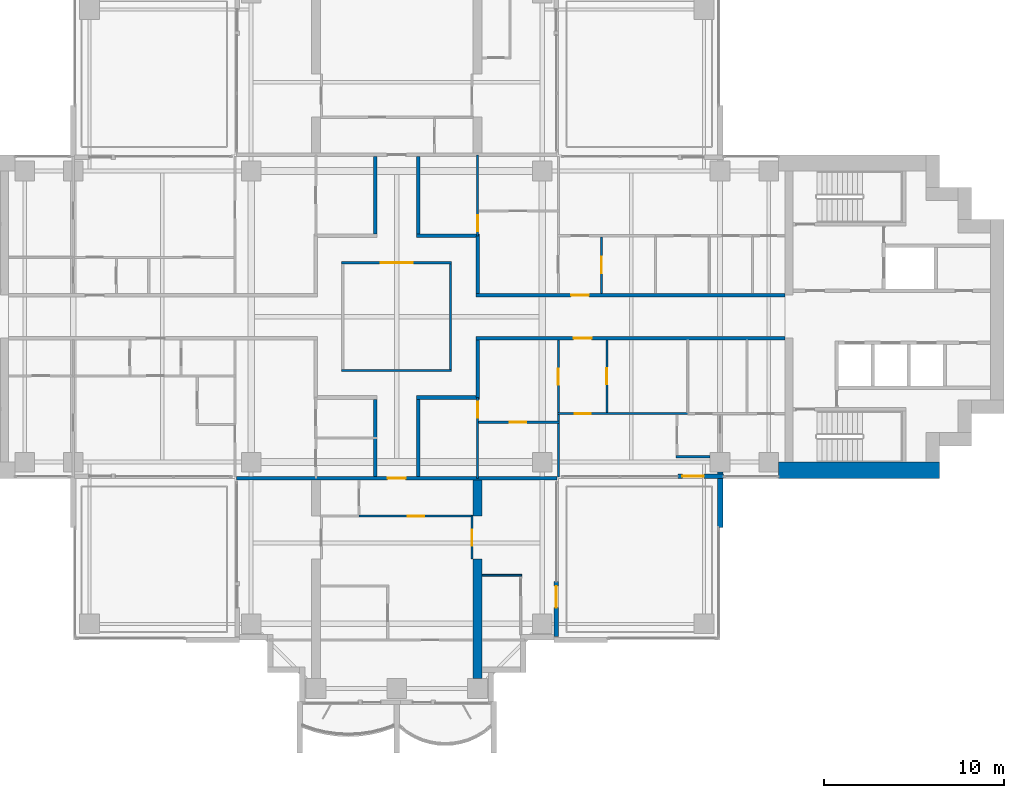
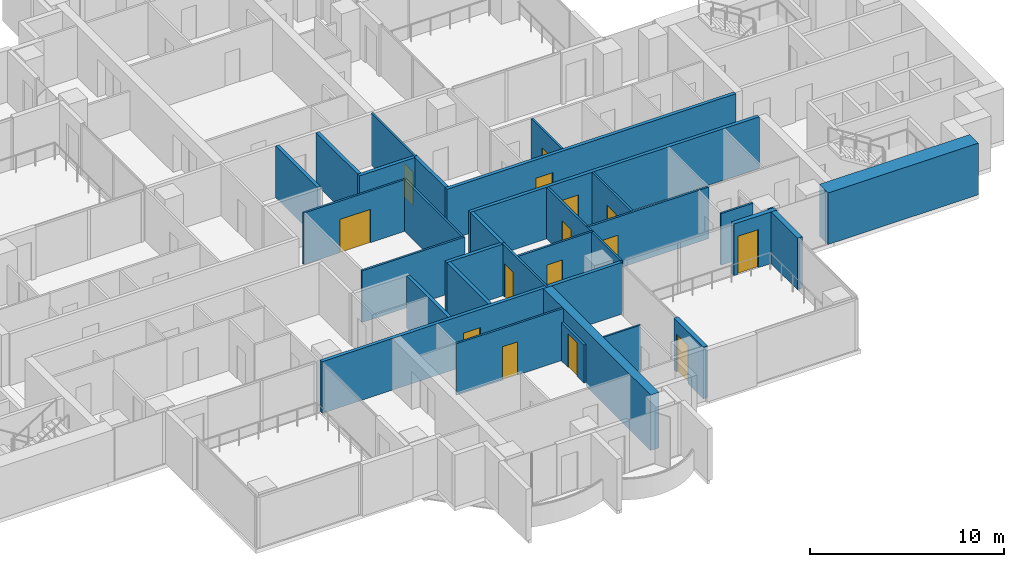
# One storey, part 11 of 19: 30 walls, 15 doors, 15 openings.
"""IFC4 building model written with IfcOpenShell, lengths in metres."""

from ifc_helpers import new_model, si_unit, direction, frame, frame_2d, origin, place, context, subcontext, project, spatial, polyline, rectangle, outline, extrude, material, layer, layer_set, material_profile, profile_set, type_object, element, fill, save


model = new_model("IFC4")

# Units and contexts
model_context = context("Model", 3, precision=1e-05, world=origin(), true_north=direction((0.0, 1.0)))
body_context = subcontext(model_context, "Body", "Model", "MODEL_VIEW")
ifc_project = project(units=[si_unit("LENGTHUNIT", "METRE"), si_unit("AREAUNIT", "SQUARE_METRE"), si_unit("VOLUMEUNIT", "CUBIC_METRE"), si_unit("PLANEANGLEUNIT", "RADIAN"), si_unit("MASSUNIT", "GRAM", prefix="KILO")], contexts=[model_context])

# Site, building, storey
site_placement = place(None, origin())
site = spatial("IfcSite", under=ifc_project, at=site_placement, CompositionType="ELEMENT")
building_placement = place(site_placement, origin())
building = spatial("IfcBuilding", under=site, at=building_placement, Name="Perihelion Cross Residences", CompositionType="ELEMENT")
storey_placement = place(building_placement, frame((0.0, 0.0, 119.89990234375)))
storey = spatial("IfcBuildingStorey", under=building, at=storey_placement, Name="L28", CompositionType="ELEMENT", Elevation=119.89990234375)

# Wall, opening, door
ifc_material_1 = material(Name="Plasterboard partition")
ifc_layer_1 = layer(ifc_material_1, 0.199951171875)
ifc_layer_set_1 = layer_set([ifc_layer_1], Name="Apartment separation wall 200")
wall_type_1 = type_object("IfcWallType", Name="Apartment separation wall 200", PredefinedType="PARTITIONING", material=ifc_layer_set_1)
wall_1_placement = place(storey_placement, frame((4.39990234375, 1.199951171875, 0.0), z_axis=(0.0, 0.0, 1.0), x_axis=(1.0, 0.0, 0.0)))
wall_1 = element("IfcWall", 1, at=wall_1_placement, inside=storey, type_object=wall_type_1, Name="Partition L28 W005", PredefinedType="PARTITIONING", context=body_context, shape_type="SweptSolid", body=[
    extrude(rectangle(XDim=17.2001953125, YDim=0.199951171875, at=frame_2d((8.60009765625, 0.0))), origin(), (0.0, 0.0, 1.0), 3.25),
])
opening_1_placement = place(wall_1_placement, frame((5.300048828125, 0.0, 0.0)))
opening_1 = element("IfcOpeningElement", 2, at=opening_1_placement, cuts=wall_1, Name="Opening L28.A49", PredefinedType="OPENING", context=body_context, shape_type="SweptSolid", body=[
    extrude(rectangle(XDim=1.0, YDim=2.10009765625, at=frame_2d((0.5, 1.050048828125))), frame((0.0, 0.10986328125, 0.0), z_axis=(0.0, -1.0, 0.0), x_axis=(1.0, 0.0, 0.0)), (0.0, 0.0, 1.0), 0.219970703125),
])
ifc_material_2 = material(Name="Timber door leaf", Category="wood")
door_type_1 = type_object("IfcDoorType", Name="Flat entrance door 1000 x 2100", OperationType="SINGLE_SWING_LEFT", PredefinedType="DOOR", material=ifc_material_2)
door_1_placement = place(opening_1_placement, origin())
door_1 = element("IfcDoor", 3, at=door_1_placement, inside=storey, type_object=door_type_1, Name="Door L28.A49", OperationType="SINGLE_SWING_RIGHT", OverallHeight=2.10009765625, OverallWidth=1.0, PredefinedType="DOOR", context=body_context, shape_type="SweptSolid", body=[
    extrude(rectangle(XDim=1.0, YDim=2.10009765625, at=frame_2d((0.5, 1.050048828125))), frame((0.0, 0.02490234375, 0.0), z_axis=(0.0, -1.0, 0.0), x_axis=(1.0, 0.0, 0.0)), (0.0, 0.0, 1.0), 0.050048828125),
])
fill(opening_1, door_1)

# Walls
wall_2_placement = place(storey_placement, frame((4.5, 4.5, 0.0), z_axis=(0.0, 0.0, 1.0), x_axis=(0.0, -1.0, 0.0)))
element("IfcWall", 4, at=wall_2_placement, inside=storey, type_object=wall_type_1, Name="Partition L28 W006", PredefinedType="PARTITIONING", context=body_context, shape_type="SweptSolid", body=[
    extrude(rectangle(XDim=3.199951171875, YDim=0.199951171875, at=frame_2d((1.60009765625, 0.0))), origin(), (0.0, 0.0, 1.0), 3.25),
])
wall_3_placement = place(storey_placement, frame((1.199951171875, 8.89990234375, 0.0), z_axis=(0.0, 0.0, 1.0), x_axis=(0.0, -1.0, 0.0)))
element("IfcWall", 5, at=wall_3_placement, inside=storey, type_object=wall_type_1, Name="Partition L28 W007", PredefinedType="PARTITIONING", context=body_context, shape_type="SweptSolid", body=[
    extrude(rectangle(XDim=4.2998046875, YDim=0.199951171875, at=frame_2d((2.14990234375, 0.0))), origin(), (0.0, 0.0, 1.0), 3.25),
])
wall_4_placement = place(storey_placement, frame((1.10009765625, 4.5, 0.0), z_axis=(0.0, 0.0, 1.0), x_axis=(1.0, 0.0, 0.0)))
element("IfcWall", 6, at=wall_4_placement, inside=storey, type_object=wall_type_1, Name="Partition L28 W008", PredefinedType="PARTITIONING", context=body_context, shape_type="SweptSolid", body=[
    extrude(rectangle(XDim=3.5, YDim=0.199951171875, at=frame_2d((1.75, 0.0))), origin(), (0.0, 0.0, 1.0), 3.25),
])

# Wall, opening, door
wall_5_placement = place(storey_placement, frame((21.60009765625, -1.199951171875, 0.0), z_axis=(0.0, 0.0, 1.0), x_axis=(-1.0, 0.0, 0.0)))
wall_5 = element("IfcWall", 7, at=wall_5_placement, inside=storey, type_object=wall_type_1, Name="Partition L28 W009", PredefinedType="PARTITIONING", context=body_context, shape_type="SweptSolid", body=[
    extrude(rectangle(XDim=17.2001953125, YDim=0.199951171875, at=frame_2d((8.60009765625, 0.0))), origin(), (0.0, 0.0, 1.0), 3.25),
])
opening_2_placement = place(wall_5_placement, frame((10.75, 0.0, 0.0)))
opening_2 = element("IfcOpeningElement", 8, at=opening_2_placement, cuts=wall_5, Name="Opening L28.A50", PredefinedType="OPENING", context=body_context, shape_type="SweptSolid", body=[
    extrude(rectangle(XDim=1.0, YDim=2.10009765625, at=frame_2d((0.5, 1.050048828125))), frame((0.0, 0.10986328125, 0.0), z_axis=(0.0, -1.0, 0.0), x_axis=(1.0, 0.0, 0.0)), (0.0, 0.0, 1.0), 0.219970703125),
])
door_2_placement = place(opening_2_placement, origin())
door_2 = element("IfcDoor", 9, at=door_2_placement, inside=storey, type_object=door_type_1, Name="Door L28.A50", OperationType="SINGLE_SWING_RIGHT", OverallHeight=2.10009765625, OverallWidth=1.0, PredefinedType="DOOR", context=body_context, shape_type="SweptSolid", body=[
    extrude(rectangle(XDim=1.0, YDim=2.10009765625, at=frame_2d((0.5, 1.050048828125))), frame((0.0, 0.02490234375, 0.0), z_axis=(0.0, -1.0, 0.0), x_axis=(1.0, 0.0, 0.0)), (0.0, 0.0, 1.0), 0.050048828125),
])
fill(opening_2, door_2)

# Walls
wall_6_placement = place(storey_placement, frame((4.5, -1.300048828125, 0.0), z_axis=(0.0, 0.0, 1.0), x_axis=(0.0, -1.0, 0.0)))
element("IfcWall", 10, at=wall_6_placement, inside=storey, type_object=wall_type_1, Name="Partition L28 W010", PredefinedType="PARTITIONING", context=body_context, shape_type="SweptSolid", body=[
    extrude(rectangle(XDim=3.199951171875, YDim=0.199951171875, at=frame_2d((1.60009765625, 0.0))), origin(), (0.0, 0.0, 1.0), 3.25),
])
wall_7_placement = place(storey_placement, frame((4.60009765625, -4.5, 0.0), z_axis=(0.0, 0.0, 1.0), x_axis=(-1.0, 0.0, 0.0)))
element("IfcWall", 11, at=wall_7_placement, inside=storey, type_object=wall_type_1, Name="Partition L28 W011", PredefinedType="PARTITIONING", context=body_context, shape_type="SweptSolid", body=[
    extrude(rectangle(XDim=3.5, YDim=0.199951171875, at=frame_2d((1.75, 0.0))), origin(), (0.0, 0.0, 1.0), 3.25),
])
for number, where, z_axis, x_axis, name in (
    (12, (1.199951171875, -4.60009765625, 0.0), (0.0, 0.0, 1.0), (0.0, -1.0, 0.0), "Partition L28 W012"),
    (13, (-1.199951171875, 4.60009765625, 0.0), (0.0, 0.0, 1.0), (0.0, 1.0, 0.0), "Partition L28 W016"),
    (14, (-1.199951171875, -8.89990234375, 0.0), (0.0, 0.0, 1.0), (0.0, 1.0, 0.0), "Partition L28 W019"),
):
    element("IfcWall", number, at=place(storey_placement, frame(where, z_axis=z_axis, x_axis=x_axis)), inside=storey, type_object=wall_type_1, Name=name, PredefinedType="PARTITIONING", context=body_context, shape_type="SweptSolid", body=[
        extrude(rectangle(XDim=4.2998046875, YDim=0.199951171875, at=frame_2d((2.14990234375, 0.0))), origin(), (0.0, 0.0, 1.0), 3.25),
    ])

# Wall, opening, door
wall_8_placement = place(storey_placement, frame((8.919921875, -9.0, 0.0), z_axis=(0.0, 0.0, 1.0), x_axis=(-1.0, 0.0, 0.0)))
wall_8 = element("IfcWall", 15, at=wall_8_placement, inside=storey, type_object=wall_type_1, Name="Partition L28 W022", PredefinedType="PARTITIONING", context=body_context, shape_type="SweptSolid", body=[
    extrude(rectangle(XDim=17.83984375, YDim=0.199951171875, at=frame_2d((8.919921875, 0.0))), origin(), (0.0, 0.0, 1.0), 3.25),
])
opening_3_placement = place(wall_8_placement, frame((8.419921875, 0.0, 0.0)))
opening_3 = element("IfcOpeningElement", 16, at=opening_3_placement, cuts=wall_8, Name="Opening L28.A43", PredefinedType="OPENING", context=body_context, shape_type="SweptSolid", body=[
    extrude(rectangle(XDim=1.0, YDim=2.10009765625, at=frame_2d((0.5, 1.050048828125))), frame((0.0, 0.10986328125, 0.0), z_axis=(0.0, -1.0, 0.0), x_axis=(1.0, 0.0, 0.0)), (0.0, 0.0, 1.0), 0.219970703125),
])
door_3_placement = place(opening_3_placement, origin())
door_3 = element("IfcDoor", 17, at=door_3_placement, inside=storey, type_object=door_type_1, Name="Door L28.A43", OperationType="SINGLE_SWING_LEFT", OverallHeight=2.10009765625, OverallWidth=1.0, PredefinedType="DOOR", context=body_context, shape_type="SweptSolid", body=[
    extrude(rectangle(XDim=1.0, YDim=2.10009765625, at=frame_2d((0.5, 1.050048828125))), frame((0.0, 0.02490234375, 0.0), z_axis=(0.0, -1.0, 0.0), x_axis=(1.0, 0.0, 0.0)), (0.0, 0.0, 1.0), 0.050048828125),
])
fill(opening_3, door_3)

ifc_material_3 = material(Name="Concrete C30/37, bronze-clad", Category="concrete")
ifc_layer_2 = layer(ifc_material_3, 0.25)
ifc_layer_set_2 = layer_set([ifc_layer_2], Name="Bronze-clad pier wall 250")
wall_type_2 = type_object("IfcWallType", Name="Bronze-clad pier wall 250", PredefinedType="SOLIDWALL", material=ifc_layer_set_2)
wall_9_placement = place(storey_placement, frame((8.875, -17.800048828125, 0.0), z_axis=(0.0, 0.0, 1.0), x_axis=(0.0, 1.0, 0.0)))
wall_9 = element("IfcWall", 18, at=wall_9_placement, inside=storey, type_object=wall_type_2, Name="Wall FW1 L28 south side east bay 1 pier", PredefinedType="SOLIDWALL", context=body_context, shape_type="SweptSolid", body=[
    extrude(rectangle(XDim=3.050048828125, YDim=0.25, at=frame_2d((1.52490234375, 0.0))), origin(), (0.0, 0.0, 1.0), 3.25),
])
opening_4_placement = place(wall_9_placement, frame((1.60009765625, 0.0, 0.0)))
opening_4 = element("IfcOpeningElement", 19, at=opening_4_placement, cuts=wall_9, Name="Opening L28.E13", PredefinedType="OPENING", context=body_context, shape_type="SweptSolid", body=[
    extrude(rectangle(XDim=1.199951171875, YDim=2.39990234375, at=frame_2d((0.60009765625, 1.199951171875))), frame((0.0, 0.135009765625, 0.0), z_axis=(0.0, -1.0, 0.0), x_axis=(1.0, 0.0, 0.0)), (0.0, 0.0, 1.0), 0.27001953125),
])
ifc_material_4 = material(Name="Bronze anodised aluminium, glazed", Category="aluminium")
door_type_2 = type_object("IfcDoorType", Name="Balcony door 1200 x 2400", OperationType="NOTDEFINED", PredefinedType="DOOR", material=ifc_material_4)
door_4_placement = place(opening_4_placement, origin())
door_4 = element("IfcDoor", 20, at=door_4_placement, inside=storey, type_object=door_type_2, Name="Door L28.E13 south side east bay 1", OperationType="SINGLE_SWING_RIGHT", OverallHeight=2.39990234375, OverallWidth=1.199951171875, PredefinedType="DOOR", context=body_context, shape_type="SweptSolid", body=[
    extrude(rectangle(XDim=1.199951171875, YDim=2.39990234375, at=frame_2d((0.60009765625, 1.199951171875))), frame((0.0, 0.02490234375, 0.0), z_axis=(0.0, -1.0, 0.0), x_axis=(1.0, 0.0, 0.0)), (0.0, 0.0, 1.0), 0.050048828125),
])
fill(opening_4, door_4)

wall_10_placement = place(storey_placement, frame((15.64990234375, -8.875, 0.0), z_axis=(0.0, 0.0, 1.0), x_axis=(1.0, 0.0, 0.0)))
wall_10 = element("IfcWall", 21, at=wall_10_placement, inside=storey, type_object=wall_type_2, Name="Wall FW1 L28 east side south bay 1 pier", PredefinedType="SOLIDWALL", context=body_context, shape_type="SweptSolid", body=[
    extrude(rectangle(XDim=2.550048828125, YDim=0.25, at=frame_2d((1.27490234375, 0.0))), origin(), (0.0, 0.0, 1.0), 3.25),
])
opening_5_placement = place(wall_10_placement, frame((0.25, 0.0, 0.0)))
opening_5 = element("IfcOpeningElement", 22, at=opening_5_placement, cuts=wall_10, Name="Opening L28.E14", PredefinedType="OPENING", context=body_context, shape_type="SweptSolid", body=[
    extrude(rectangle(XDim=1.199951171875, YDim=2.39990234375, at=frame_2d((0.60009765625, 1.199951171875))), frame((0.0, 0.135009765625, 0.0), z_axis=(0.0, -1.0, 0.0), x_axis=(1.0, 0.0, 0.0)), (0.0, 0.0, 1.0), 0.27001953125),
])
door_5_placement = place(opening_5_placement, origin())
door_5 = element("IfcDoor", 23, at=door_5_placement, inside=storey, type_object=door_type_2, Name="Door L28.E14 east side south bay 1", OperationType="SINGLE_SWING_LEFT", OverallHeight=2.39990234375, OverallWidth=1.199951171875, PredefinedType="DOOR", context=body_context, shape_type="SweptSolid", body=[
    extrude(rectangle(XDim=1.199951171875, YDim=2.39990234375, at=frame_2d((0.60009765625, 1.199951171875))), frame((0.0, 0.02490234375, 0.0), z_axis=(0.0, -1.0, 0.0), x_axis=(1.0, 0.0, 0.0)), (0.0, 0.0, 1.0), 0.050048828125),
])
fill(opening_5, door_5)

# Wall
ifc_material_5 = material(Name="Concrete C60/75", Category="concrete")
ifc_layer_3 = layer(ifc_material_5, 0.89990234375)
ifc_layer_set_3 = layer_set([ifc_layer_3], Name="Core wall, outer 900")
wall_type_3 = type_object("IfcWallType", Name="Core wall, outer 900", PredefinedType="SHEAR", material=ifc_layer_set_3)
wall_11_placement = place(storey_placement, frame((21.25, -8.550048828125, 0.0), z_axis=(0.0, 0.0, 1.0), x_axis=(1.0, 0.0, 0.0)))
element("IfcWall", 24, at=wall_11_placement, inside=storey, type_object=wall_type_3, Name="East core core wall, outer", PredefinedType="SHEAR", context=body_context, shape_type="SweptSolid", body=[
    extrude(rectangle(XDim=8.949951171875, YDim=0.89990234375, at=frame_2d((4.47509765625, 0.0))), origin(), (0.0, 0.0, 1.0), 3.25),
])

# Wall, opening, door
ifc_material_6 = material(Name="Plasterboard partition")
ifc_layer_4 = layer(ifc_material_6, 0.1201171875)
ifc_layer_set_4 = layer_set([ifc_layer_4], Name="Infill panel 120")
wall_type_4 = type_object("IfcWallType", Name="Infill panel 120", PredefinedType="PARTITIONING", material=ifc_layer_set_4)
wall_12_placement = place(storey_placement, frame((4.18994140625, -11.10009765625, 0.0), z_axis=(0.0, 0.0, 1.0), x_axis=(0.0, -1.0, 0.0)))
wall_12 = element("IfcWall", 25, at=wall_12_placement, inside=storey, type_object=wall_type_4, Name="Partition L28 WI05", PredefinedType="PARTITIONING", context=body_context, shape_type="SweptSolid", body=[
    extrude(rectangle(XDim=2.39990234375, YDim=0.1201171875, at=frame_2d((1.199951171875, 0.0))), origin(), (0.0, 0.0, 1.0), 2.400146484375),
])
opening_6_placement = place(wall_12_placement, frame((0.75, 0.0, 0.0)))
opening_6 = element("IfcOpeningElement", 26, at=opening_6_placement, cuts=wall_12, Name="Opening L28.A57", PredefinedType="OPENING", context=body_context, shape_type="SweptSolid", body=[
    extrude(rectangle(XDim=0.89990234375, YDim=2.10009765625, at=frame_2d((0.449951171875, 1.050048828125))), frame((0.0, 0.070068359375, 0.0), z_axis=(0.0, -1.0, 0.0), x_axis=(1.0, 0.0, 0.0)), (0.0, 0.0, 1.0), 0.14013671875),
])
ifc_material_7 = material(Name="Timber door leaf", Category="wood")
door_type_3 = type_object("IfcDoorType", Name="Interior room door 900 x 2100", OperationType="SINGLE_SWING_LEFT", PredefinedType="DOOR", material=ifc_material_7)
door_6_placement = place(opening_6_placement, origin())
door_6 = element("IfcDoor", 27, at=door_6_placement, inside=storey, type_object=door_type_3, Name="Door L28.A57", OperationType="SINGLE_SWING_RIGHT", OverallHeight=2.10009765625, OverallWidth=0.89990234375, PredefinedType="DOOR", context=body_context, shape_type="SweptSolid", body=[
    extrude(rectangle(XDim=0.89990234375, YDim=2.10009765625, at=frame_2d((0.449951171875, 1.050048828125))), frame((0.0, 0.02490234375, 0.0), z_axis=(0.0, -1.0, 0.0), x_axis=(1.0, 0.0, 0.0)), (0.0, 0.0, 1.0), 0.050048828125),
])
fill(opening_6, door_6)

# Walls
ifc_material_8 = material(Name="Plasterboard partition")
ifc_layer_5 = layer(ifc_material_8, 0.1201171875)
ifc_layer_set_5 = layer_set([ifc_layer_5], Name="Partition wall 120")
wall_type_5 = type_object("IfcWallType", Name="Partition wall 120", PredefinedType="PARTITIONING", material=ifc_layer_set_5)
wall_13_placement = place(storey_placement, frame((-3.06005859375, -3.0, 0.0), z_axis=(0.0, 0.0, 1.0), x_axis=(1.0, 0.0, 0.0)))
element("IfcWall", 28, at=wall_13_placement, inside=storey, type_object=wall_type_5, Name="Partition L28 W001", PredefinedType="PARTITIONING", context=body_context, shape_type="SweptSolid", body=[
    extrude(rectangle(XDim=6.1201171875, YDim=0.1201171875, at=frame_2d((3.06005859375, 0.0))), origin(), (0.0, 0.0, 1.0), 3.25),
])
wall_14_placement = place(storey_placement, frame((3.0, -2.93994140625, 0.0), z_axis=(0.0, 0.0, 1.0), x_axis=(0.0, 1.0, 0.0)))
element("IfcWall", 29, at=wall_14_placement, inside=storey, type_object=wall_type_5, Name="Partition L28 W002", PredefinedType="PARTITIONING", context=body_context, shape_type="SweptSolid", body=[
    extrude(rectangle(XDim=5.8798828125, YDim=0.1201171875, at=frame_2d((2.93994140625, 0.0))), origin(), (0.0, 0.0, 1.0), 3.25),
])

# Wall, opening, door
wall_15_placement = place(storey_placement, frame((3.06005859375, 3.0, 0.0), z_axis=(0.0, 0.0, 1.0), x_axis=(-1.0, 0.0, 0.0)))
wall_15 = element("IfcWall", 30, at=wall_15_placement, inside=storey, type_object=wall_type_5, Name="Partition L28 W003", PredefinedType="PARTITIONING", context=body_context, shape_type="SweptSolid", body=[
    extrude(rectangle(XDim=6.1201171875, YDim=0.1201171875, at=frame_2d((3.06005859375, 0.0))), origin(), (0.0, 0.0, 1.0), 3.25),
])
opening_7_placement = place(wall_15_placement, frame((2.159912109375, 0.0, 0.0)))
opening_7 = element("IfcOpeningElement", 31, at=opening_7_placement, cuts=wall_15, Name="Opening L28.A01", PredefinedType="OPENING", context=body_context, shape_type="SweptSolid", body=[
    extrude(rectangle(XDim=1.800048828125, YDim=2.10009765625, at=frame_2d((0.89990234375, 1.050048828125))), frame((0.0, 0.070068359375, 0.0), z_axis=(0.0, -1.0, 0.0), x_axis=(1.0, 0.0, 0.0)), (0.0, 0.0, 1.0), 0.14013671875),
])
ifc_material_9 = material(Name="Glazed timber door leaf", Category="wood")
door_type_4 = type_object("IfcDoorType", Name="Interior double leaf door 1800 x 2100", OperationType="DOUBLE_DOOR_SINGLE_SWING", PredefinedType="DOOR", material=ifc_material_9)
door_7_placement = place(opening_7_placement, origin())
door_7 = element("IfcDoor", 32, at=door_7_placement, inside=storey, type_object=door_type_4, Name="Door L28.A01", OperationType="SINGLE_SWING_LEFT", OverallHeight=2.10009765625, OverallWidth=1.800048828125, PredefinedType="DOOR", context=body_context, shape_type="SweptSolid", body=[
    extrude(rectangle(XDim=1.800048828125, YDim=2.10009765625, at=frame_2d((0.89990234375, 1.050048828125))), frame((0.0, 0.02490234375, 0.0), z_axis=(0.0, -1.0, 0.0), x_axis=(1.0, 0.0, 0.0)), (0.0, 0.0, 1.0), 0.050048828125),
])
fill(opening_7, door_7)

wall_16_placement = place(storey_placement, frame((11.39990234375, 4.43994140625, 0.0), z_axis=(0.0, 0.0, 1.0), x_axis=(0.0, -1.0, 0.0)))
wall_16 = element("IfcWall", 33, at=wall_16_placement, inside=storey, type_object=wall_type_5, Name="Partition L28 W023", PredefinedType="PARTITIONING", context=body_context, shape_type="SweptSolid", body=[
    extrude(rectangle(XDim=3.139892578125, YDim=0.1201171875, at=frame_2d((1.56982421875, 0.0))), origin(), (0.0, 0.0, 1.0), 3.25),
])
opening_8_placement = place(wall_16_placement, frame((1.1201171875, 0.0, 0.0)))
opening_8 = element("IfcOpeningElement", 34, at=opening_8_placement, cuts=wall_16, Name="Opening L28.A05", PredefinedType="OPENING", context=body_context, shape_type="SweptSolid", body=[
    extrude(rectangle(XDim=0.89990234375, YDim=2.10009765625, at=frame_2d((0.449951171875, 1.050048828125))), frame((0.0, 0.070068359375, 0.0), z_axis=(0.0, -1.0, 0.0), x_axis=(1.0, 0.0, 0.0)), (0.0, 0.0, 1.0), 0.14013671875),
])
door_8_placement = place(opening_8_placement, origin())
door_8 = element("IfcDoor", 35, at=door_8_placement, inside=storey, type_object=door_type_3, Name="Door L28.A05", OperationType="SINGLE_SWING_RIGHT", OverallHeight=2.10009765625, OverallWidth=0.89990234375, PredefinedType="DOOR", context=body_context, shape_type="SweptSolid", body=[
    extrude(rectangle(XDim=0.89990234375, YDim=2.10009765625, at=frame_2d((0.449951171875, 1.050048828125))), frame((0.0, 0.02490234375, 0.0), z_axis=(0.0, -1.0, 0.0), x_axis=(1.0, 0.0, 0.0)), (0.0, 0.0, 1.0), 0.050048828125),
])
fill(opening_8, door_8)

wall_17_placement = place(storey_placement, frame((4.5, 4.5, 0.0), z_axis=(0.0, 0.0, 1.0), x_axis=(0.0, 1.0, 0.0)))
wall_17 = element("IfcWall", 36, at=wall_17_placement, inside=storey, type_object=wall_type_5, Name="Partition L28 W033", PredefinedType="PARTITIONING", context=body_context, shape_type="SweptSolid", body=[
    extrude(rectangle(XDim=4.5, YDim=0.1201171875, at=frame_2d((2.25, 0.0))), origin(), (0.0, 0.0, 1.0), 3.25),
])
opening_9_placement = place(wall_17_placement, frame((0.239990234375, 0.0, 0.0)))
opening_9 = element("IfcOpeningElement", 37, at=opening_9_placement, cuts=wall_17, Name="Opening L28.A03", PredefinedType="OPENING", context=body_context, shape_type="SweptSolid", body=[
    extrude(rectangle(XDim=0.89990234375, YDim=2.10009765625, at=frame_2d((0.449951171875, 1.050048828125))), frame((0.0, 0.070068359375, 0.0), z_axis=(0.0, -1.0, 0.0), x_axis=(1.0, 0.0, 0.0)), (0.0, 0.0, 1.0), 0.14013671875),
])
door_9_placement = place(opening_9_placement, origin())
door_9 = element("IfcDoor", 38, at=door_9_placement, inside=storey, type_object=door_type_3, Name="Door L28.A03", OperationType="SINGLE_SWING_LEFT", OverallHeight=2.10009765625, OverallWidth=0.89990234375, PredefinedType="DOOR", context=body_context, shape_type="SweptSolid", body=[
    extrude(rectangle(XDim=0.89990234375, YDim=2.10009765625, at=frame_2d((0.449951171875, 1.050048828125))), frame((0.0, 0.02490234375, 0.0), z_axis=(0.0, -1.0, 0.0), x_axis=(1.0, 0.0, 0.0)), (0.0, 0.0, 1.0), 0.050048828125),
])
fill(opening_9, door_9)

wall_18_placement = place(storey_placement, frame((11.699951171875, -1.300048828125, 0.0), z_axis=(0.0, 0.0, 1.0), x_axis=(0.0, -1.0, 0.0)))
wall_18 = element("IfcWall", 39, at=wall_18_placement, inside=storey, type_object=wall_type_5, Name="Partition L28 W034", PredefinedType="PARTITIONING", context=body_context, shape_type="SweptSolid", body=[
    extrude(rectangle(XDim=4.0400390625, YDim=0.1201171875, at=frame_2d((2.02001953125, 0.0))), origin(), (0.0, 0.0, 1.0), 3.25),
])
opening_10_placement = place(wall_18_placement, frame((1.570068359375, 0.0, 0.0)))
opening_10 = element("IfcOpeningElement", 40, at=opening_10_placement, cuts=wall_18, Name="Opening L28.A14", PredefinedType="OPENING", context=body_context, shape_type="SweptSolid", body=[
    extrude(rectangle(XDim=0.89990234375, YDim=2.10009765625, at=frame_2d((0.449951171875, 1.050048828125))), frame((0.0, 0.070068359375, 0.0), z_axis=(0.0, -1.0, 0.0), x_axis=(1.0, 0.0, 0.0)), (0.0, 0.0, 1.0), 0.14013671875),
])
door_10_placement = place(opening_10_placement, origin())
door_10 = element("IfcDoor", 41, at=door_10_placement, inside=storey, type_object=door_type_3, Name="Door L28.A14", OperationType="SINGLE_SWING_RIGHT", OverallHeight=2.10009765625, OverallWidth=0.89990234375, PredefinedType="DOOR", context=body_context, shape_type="SweptSolid", body=[
    extrude(rectangle(XDim=0.89990234375, YDim=2.10009765625, at=frame_2d((0.449951171875, 1.050048828125))), frame((0.0, 0.02490234375, 0.0), z_axis=(0.0, -1.0, 0.0), x_axis=(1.0, 0.0, 0.0)), (0.0, 0.0, 1.0), 0.050048828125),
])
fill(opening_10, door_10)

wall_19_placement = place(storey_placement, frame((16.199951171875, -5.39990234375, 0.0), z_axis=(0.0, 0.0, 1.0), x_axis=(-1.0, 0.0, 0.0)))
wall_19 = element("IfcWall", 42, at=wall_19_placement, inside=storey, type_object=wall_type_5, Name="Partition L28 W035", PredefinedType="PARTITIONING", context=body_context, shape_type="SweptSolid", body=[
    extrude(rectangle(XDim=7.260009765625, YDim=0.1201171875, at=frame_2d((3.6298828125, 0.0))), origin(), (0.0, 0.0, 1.0), 3.25),
])
opening_11_placement = place(wall_19_placement, frame((5.39990234375, 0.0, 0.0)))
opening_11 = element("IfcOpeningElement", 43, at=opening_11_placement, cuts=wall_19, Name="Opening L28.A18", PredefinedType="OPENING", context=body_context, shape_type="SweptSolid", body=[
    extrude(rectangle(XDim=0.89990234375, YDim=2.10009765625, at=frame_2d((0.449951171875, 1.050048828125))), frame((0.0, 0.070068359375, 0.0), z_axis=(0.0, -1.0, 0.0), x_axis=(1.0, 0.0, 0.0)), (0.0, 0.0, 1.0), 0.14013671875),
])
door_11_placement = place(opening_11_placement, origin())
door_11 = element("IfcDoor", 44, at=door_11_placement, inside=storey, type_object=door_type_3, Name="Door L28.A18", OperationType="SINGLE_SWING_LEFT", OverallHeight=2.10009765625, OverallWidth=0.89990234375, PredefinedType="DOOR", context=body_context, shape_type="SweptSolid", body=[
    extrude(rectangle(XDim=0.89990234375, YDim=2.10009765625, at=frame_2d((0.449951171875, 1.050048828125))), frame((0.0, 0.02490234375, 0.0), z_axis=(0.0, -1.0, 0.0), x_axis=(1.0, 0.0, 0.0)), (0.0, 0.0, 1.0), 0.050048828125),
])
fill(opening_11, door_11)

wall_20_placement = place(storey_placement, frame((9.0, -8.919921875, 0.0), z_axis=(0.0, 0.0, 1.0), x_axis=(0.0, 1.0, 0.0)))
wall_20 = element("IfcWall", 45, at=wall_20_placement, inside=storey, type_object=wall_type_5, Name="Partition L28 W036", PredefinedType="PARTITIONING", context=body_context, shape_type="SweptSolid", body=[
    extrude(rectangle(XDim=7.619873046875, YDim=0.1201171875, at=frame_2d((3.81005859375, 0.0))), origin(), (0.0, 0.0, 1.0), 3.25),
])
opening_12_placement = place(wall_20_placement, frame((5.1201171875, 0.0, 0.0)))
opening_12 = element("IfcOpeningElement", 46, at=opening_12_placement, cuts=wall_20, Name="Opening L28.A12", PredefinedType="OPENING", context=body_context, shape_type="SweptSolid", body=[
    extrude(rectangle(XDim=0.89990234375, YDim=2.10009765625, at=frame_2d((0.449951171875, 1.050048828125))), frame((0.0, 0.070068359375, 0.0), z_axis=(0.0, -1.0, 0.0), x_axis=(1.0, 0.0, 0.0)), (0.0, 0.0, 1.0), 0.14013671875),
])
door_12_placement = place(opening_12_placement, origin())
door_12 = element("IfcDoor", 47, at=door_12_placement, inside=storey, type_object=door_type_3, Name="Door L28.A12", OperationType="SINGLE_SWING_RIGHT", OverallHeight=2.10009765625, OverallWidth=0.89990234375, PredefinedType="DOOR", context=body_context, shape_type="SweptSolid", body=[
    extrude(rectangle(XDim=0.89990234375, YDim=2.10009765625, at=frame_2d((0.449951171875, 1.050048828125))), frame((0.0, 0.02490234375, 0.0), z_axis=(0.0, -1.0, 0.0), x_axis=(1.0, 0.0, 0.0)), (0.0, 0.0, 1.0), 0.050048828125),
])
fill(opening_12, door_12)

# Wall
wall_21_placement = place(storey_placement, frame((15.5400390625, -7.800048828125, 0.0), z_axis=(0.0, 0.0, 1.0), x_axis=(1.0, 0.0, 0.0)))
element("IfcWall", 48, at=wall_21_placement, inside=storey, type_object=wall_type_5, Name="Partition L28 W041", PredefinedType="PARTITIONING", context=body_context, shape_type="SweptSolid", body=[
    extrude(rectangle(XDim=1.909912109375, YDim=0.1201171875, at=frame_2d((0.955078125, 0.0))), origin(), (0.0, 0.0, 1.0), 3.25),
])

# Wall, opening, door
wall_22_placement = place(storey_placement, frame((9.06005859375, -5.8798828125, 0.0), z_axis=(0.0, 0.0, 1.0), x_axis=(-1.0, 0.0, 0.0)))
wall_22 = element("IfcWall", 49, at=wall_22_placement, inside=storey, type_object=wall_type_5, Name="Partition L28 W043", PredefinedType="PARTITIONING", context=body_context, shape_type="SweptSolid", body=[
    extrude(rectangle(XDim=4.6201171875, YDim=0.1201171875, at=frame_2d((2.31005859375, 0.0))), origin(), (0.0, 0.0, 1.0), 3.25),
])
opening_13_placement = place(wall_22_placement, frame((1.860107421875, 0.0, 0.0)))
opening_13 = element("IfcOpeningElement", 50, at=opening_13_placement, cuts=wall_22, Name="Opening L28.A15", PredefinedType="OPENING", context=body_context, shape_type="SweptSolid", body=[
    extrude(rectangle(XDim=0.89990234375, YDim=2.10009765625, at=frame_2d((0.449951171875, 1.050048828125))), frame((0.0, 0.070068359375, 0.0), z_axis=(0.0, -1.0, 0.0), x_axis=(1.0, 0.0, 0.0)), (0.0, 0.0, 1.0), 0.14013671875),
])
door_13_placement = place(opening_13_placement, origin())
door_13 = element("IfcDoor", 51, at=door_13_placement, inside=storey, type_object=door_type_3, Name="Door L28.A15", OperationType="SINGLE_SWING_LEFT", OverallHeight=2.10009765625, OverallWidth=0.89990234375, PredefinedType="DOOR", context=body_context, shape_type="SweptSolid", body=[
    extrude(rectangle(XDim=0.89990234375, YDim=2.10009765625, at=frame_2d((0.449951171875, 1.050048828125))), frame((0.0, 0.02490234375, 0.0), z_axis=(0.0, -1.0, 0.0), x_axis=(1.0, 0.0, 0.0)), (0.0, 0.0, 1.0), 0.050048828125),
])
fill(opening_13, door_13)

wall_23_placement = place(storey_placement, frame((4.5, -9.0, 0.0), z_axis=(0.0, 0.0, 1.0), x_axis=(0.0, 1.0, 0.0)))
wall_23 = element("IfcWall", 52, at=wall_23_placement, inside=storey, type_object=wall_type_5, Name="Partition L28 W044", PredefinedType="PARTITIONING", context=body_context, shape_type="SweptSolid", body=[
    extrude(rectangle(XDim=4.5, YDim=0.1201171875, at=frame_2d((2.25, 0.0))), origin(), (0.0, 0.0, 1.0), 3.25),
])
opening_14_placement = place(wall_23_placement, frame((3.360107421875, 0.0, 0.0)))
opening_14 = element("IfcOpeningElement", 53, at=opening_14_placement, cuts=wall_23, Name="Opening L28.A10", PredefinedType="OPENING", context=body_context, shape_type="SweptSolid", body=[
    extrude(rectangle(XDim=0.89990234375, YDim=2.10009765625, at=frame_2d((0.449951171875, 1.050048828125))), frame((0.0, 0.070068359375, 0.0), z_axis=(0.0, -1.0, 0.0), x_axis=(1.0, 0.0, 0.0)), (0.0, 0.0, 1.0), 0.14013671875),
])
door_14_placement = place(opening_14_placement, origin())
door_14 = element("IfcDoor", 54, at=door_14_placement, inside=storey, type_object=door_type_3, Name="Door L28.A10", OperationType="SINGLE_SWING_LEFT", OverallHeight=2.10009765625, OverallWidth=0.89990234375, PredefinedType="DOOR", context=body_context, shape_type="SweptSolid", body=[
    extrude(rectangle(XDim=0.89990234375, YDim=2.10009765625, at=frame_2d((0.449951171875, 1.050048828125))), frame((0.0, 0.02490234375, 0.0), z_axis=(0.0, -1.0, 0.0), x_axis=(1.0, 0.0, 0.0)), (0.0, 0.0, 1.0), 0.050048828125),
])
fill(opening_14, door_14)

wall_24_placement = place(storey_placement, frame((4.25, -11.10009765625, 0.0), z_axis=(0.0, 0.0, 1.0), x_axis=(-1.0, 0.0, 0.0)))
wall_24 = element("IfcWall", 55, at=wall_24_placement, inside=storey, type_object=wall_type_5, Name="Partition L28 W083", PredefinedType="PARTITIONING", context=body_context, shape_type="SweptSolid", body=[
    extrude(rectangle(XDim=6.35009765625, YDim=0.1201171875, at=frame_2d((3.175048828125, 0.0))), origin(), (0.0, 0.0, 1.0), 3.25),
])
opening_15_placement = place(wall_24_placement, frame((2.72509765625, 0.0, 0.0)))
opening_15 = element("IfcOpeningElement", 56, at=opening_15_placement, cuts=wall_24, Name="Opening L28.A45", PredefinedType="OPENING", context=body_context, shape_type="SweptSolid", body=[
    extrude(rectangle(XDim=0.89990234375, YDim=2.10009765625, at=frame_2d((0.449951171875, 1.050048828125))), frame((0.0, 0.070068359375, 0.0), z_axis=(0.0, -1.0, 0.0), x_axis=(1.0, 0.0, 0.0)), (0.0, 0.0, 1.0), 0.14013671875),
])
door_15_placement = place(opening_15_placement, origin())
door_15 = element("IfcDoor", 57, at=door_15_placement, inside=storey, type_object=door_type_3, Name="Door L28.A45", OperationType="SINGLE_SWING_RIGHT", OverallHeight=2.10009765625, OverallWidth=0.89990234375, PredefinedType="DOOR", context=body_context, shape_type="SweptSolid", body=[
    extrude(rectangle(XDim=0.89990234375, YDim=2.10009765625, at=frame_2d((0.449951171875, 1.050048828125))), frame((0.0, 0.02490234375, 0.0), z_axis=(0.0, -1.0, 0.0), x_axis=(1.0, 0.0, 0.0)), (0.0, 0.0, 1.0), 0.050048828125),
])
fill(opening_15, door_15)

# Walls
ifc_material_10 = material(Name="Precast concrete C50/60", Category="concrete")
ifc_layer_6 = layer(ifc_material_10, 0.300048828125)
ifc_layer_set_6 = layer_set([ifc_layer_6], Name="Precast concrete C50/60 blade wall 300")
wall_type_6 = type_object("IfcWallType", Name="Precast concrete C50/60 blade wall 300", PredefinedType="SOLIDWALL", material=ifc_layer_set_6)
wall_25_placement = place(storey_placement, frame((18.0, -8.64990234375, 0.0), z_axis=(0.0, 0.0, 1.0), x_axis=(0.0, -1.0, 0.0)))
element("IfcWall", 58, at=wall_25_placement, inside=storey, type_object=wall_type_6, Name="Wall BL1 L28 no. 10", PredefinedType="SOLIDWALL", context=body_context, shape_type="SweptSolid", body=[
    extrude(rectangle(XDim=3.090087890625, YDim=0.300048828125, at=frame_2d((1.544921875, 0.0))), origin(), (0.0, 0.0, 1.0), 3.25),
])
ifc_material_11 = material(Name="Concrete C60/75", Category="concrete")
ifc_material_profile = material_profile(ifc_material_11, outline(polyline([(0.0, 0.0), (6.64990234375, 0.0), (6.64990234375, 2.64990234375), (9.050048828125, 2.64990234375), (9.050048828125, 0.0), (11.14990234375, 0.0), (11.14990234375, 3.5), (0.0, 3.5), (0.0, 0.0)])), Name="Tip spine wall")
ifc_profile_set = profile_set([ifc_material_profile], Name="Concrete C60/75")
wall_type_7 = type_object("IfcWallType", Name="Tip spine wall 500 with 1 door openings 11150 long 3500 high concrete C60/75", PredefinedType="SHEAR", material=ifc_profile_set)
wall_26_placement = place(storey_placement, frame((4.25, -20.14990234375, -0.25), z_axis=(1.0, 0.0, 0.0), x_axis=(0.0, 1.0, 0.0)))
element("IfcWall", 59, at=wall_26_placement, inside=storey, type_object=wall_type_7, Name="Shear wall SW33 L28 south east", PredefinedType="SHEAR", context=body_context, shape_type="SweptSolid", body=[
    extrude(outline(polyline([(0.0, 0.0), (6.64990234375, 0.0), (6.64990234375, 2.64990234375), (9.050048828125, 2.64990234375), (9.050048828125, 0.0), (11.14990234375, 0.0), (11.14990234375, 3.5), (0.0, 3.5), (0.0, 0.0)])), origin(), (0.0, 0.0, 1.0), 0.5),
])
ifc_material_12 = material(Name="Plasterboard partition")
ifc_layer_7 = layer(ifc_material_12, 0.10009765625)
ifc_layer_set_7 = layer_set([ifc_layer_7], Name="Wet room wall 100")
wall_type_8 = type_object("IfcWallType", Name="Wet room wall 100", PredefinedType="PARTITIONING", material=ifc_layer_set_7)
wall_27_placement = place(storey_placement, frame((6.949951171875, -14.39990234375, 0.0), z_axis=(0.0, 0.0, 1.0), x_axis=(-1.0, 0.0, 0.0)))
element("IfcWall", 60, at=wall_27_placement, inside=storey, type_object=wall_type_8, Name="Partition L28 W089", PredefinedType="PARTITIONING", context=body_context, shape_type="SweptSolid", body=[
    extrude(rectangle(XDim=2.199951171875, YDim=0.10009765625, at=frame_2d((1.10009765625, 0.0))), origin(), (0.0, 0.0, 1.0), 3.25),
])

save(model, "model.ifc")
